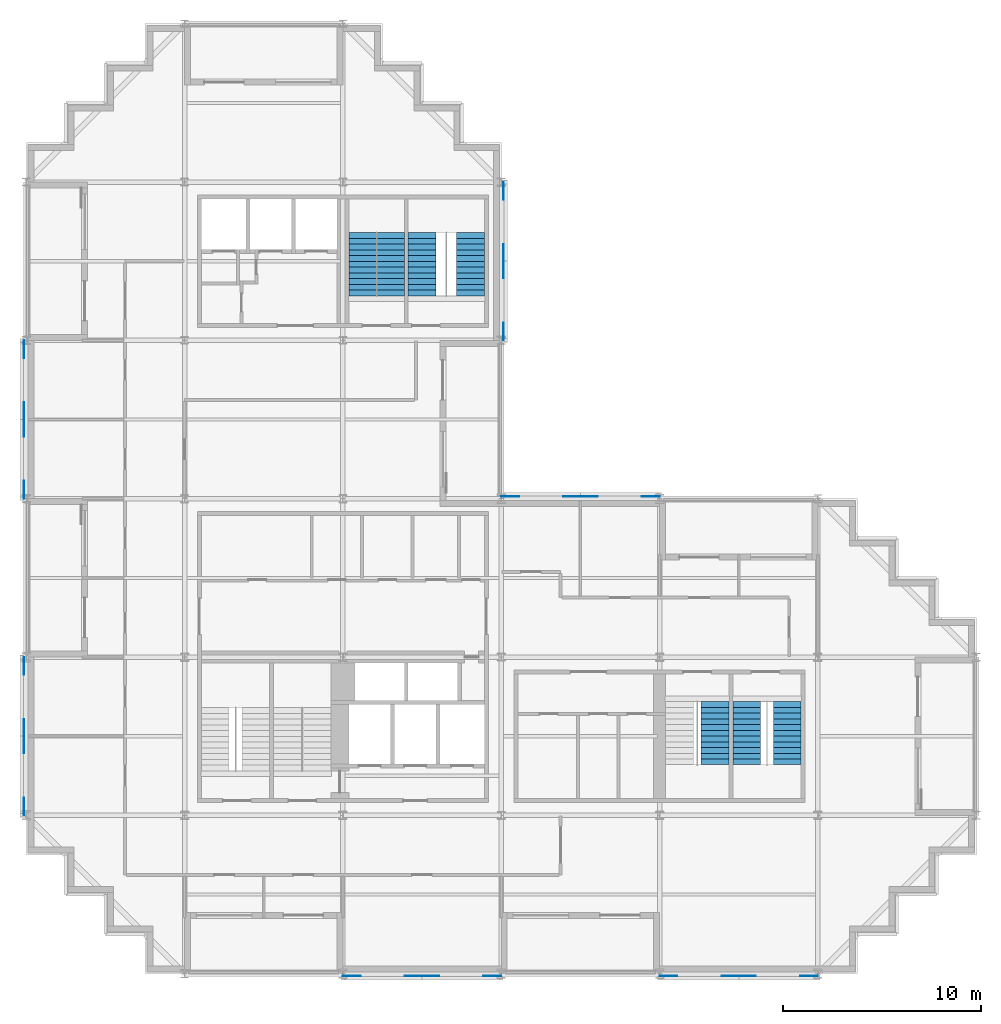
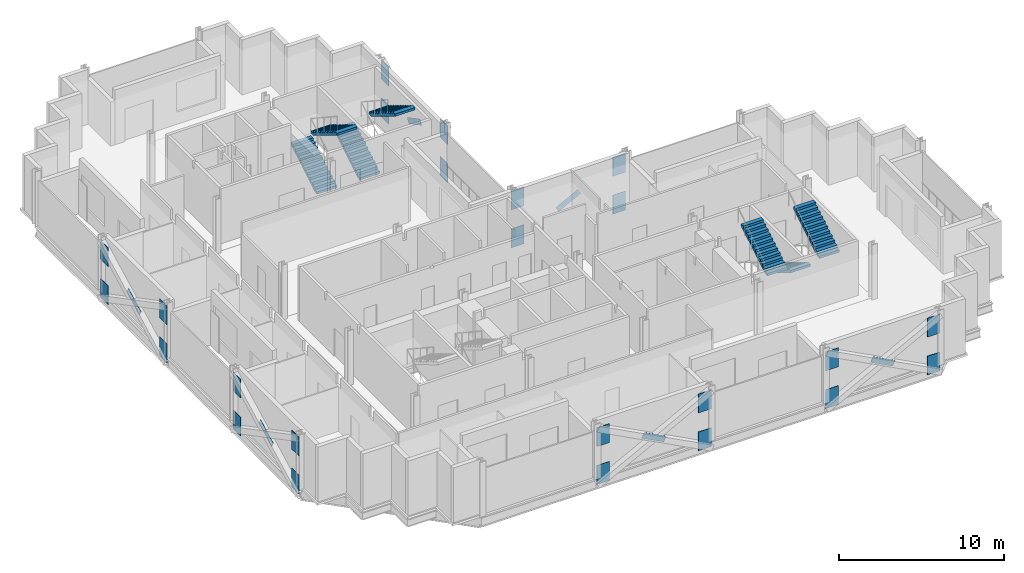
# One storey, part 9 of 11: 30 discrete accessories, 7 stair flights, 4 elements without a shape of their own.
"""IFC4 building model written with IfcOpenShell, lengths in metres."""

from ifc_helpers import new_model, si_unit, direction, frame, origin, origin_2d, place, context, subcontext, project, spatial, polyline, rectangle, outline, extrude, material, material_profile, profile_set, type_object, element, aggregate, save


model = new_model("IFC4")

# Units and contexts
model_context = context("Model", 3, precision=1e-05, world=origin(), true_north=direction((0.0, 1.0)))
body_context = subcontext(model_context, "Body", "Model", "MODEL_VIEW")
ifc_project = project(units=[si_unit("LENGTHUNIT", "METRE"), si_unit("AREAUNIT", "SQUARE_METRE"), si_unit("VOLUMEUNIT", "CUBIC_METRE"), si_unit("PLANEANGLEUNIT", "RADIAN"), si_unit("MASSUNIT", "GRAM", prefix="KILO")], contexts=[model_context])

# Site, building, storey
site_placement = place(None, origin())
site = spatial("IfcSite", under=ifc_project, at=site_placement, CompositionType="ELEMENT")
building_placement = place(site_placement, origin())
building = spatial("IfcBuilding", under=site, at=building_placement, Name="Immortelle Media Tower", CompositionType="ELEMENT")
storey_placement = place(building_placement, frame((0.0, 0.0, 141.0)))
storey = spatial("IfcBuildingStorey", under=building, at=storey_placement, Name="L28", CompositionType="ELEMENT", Elevation=141.0)

# Stair, stair flight
ifc_material_1 = material(Name="Steel ASTM A992 Gr 50", Category="steel")
stair_type = type_object("IfcStairType", Name="Stair with flights", PredefinedType="DOUBLE_RETURN_STAIR", material=ifc_material_1)
stair_1_placement = place(storey_placement, origin())
stair_1 = element("IfcStair", 1, at=stair_1_placement, inside=storey, type_object=stair_type, Name="Exit stair SE1", PredefinedType="DOUBLE_RETURN_STAIR")
stair_flight_type = type_object("IfcStairFlightType", Name="Stair flight 1400", PredefinedType="STRAIGHT", material=ifc_material_1)
stair_flight_1_placement = place(storey_placement, frame((34.800048828125, 10.56005859375, 2.10009765625), z_axis=(0.0, 0.0, 1.0), x_axis=(0.0, 1.0, 0.0)))
stair_flight_1 = element("IfcStairFlight", 2, at=stair_flight_1_placement, type_object=stair_flight_type, Name="ST SE1 flight 2", NumberOfRisers=12, NumberOfTreads=11, PredefinedType="STRAIGHT", RiserHeight=0.175, TreadLength=0.29, context=body_context, shape_type="SweptSolid", body=[
    extrude(outline(polyline([(0.0, 0.0), (0.0, 0.175048828125), (0.2900390625, 0.175048828125), (0.2900390625, 0.35009765625), (0.580078125, 0.35009765625), (0.580078125, 0.52490234375), (0.8701171875, 0.52490234375), (0.8701171875, 0.699951171875), (1.159912109375, 0.699951171875), (1.159912109375, 0.875), (1.449951171875, 0.875), (1.449951171875, 1.050048828125), (1.739990234375, 1.050048828125), (1.739990234375, 1.22509765625), (2.030029296875, 1.22509765625), (2.030029296875, 1.39990234375), (2.320068359375, 1.39990234375), (2.320068359375, 1.574951171875), (2.610107421875, 1.574951171875), (2.610107421875, 1.75), (2.89990234375, 1.75), (2.89990234375, 1.925048828125), (3.18994140625, 1.925048828125), (3.18994140625, 2.10009765625), (3.18994140625, 1.75), (0.2900390625, 0.0), (0.0, 0.0)])), frame((0.0, 0.699951171875, 0.0), z_axis=(0.0, -1.0, 0.0), x_axis=(1.0, 0.0, 0.0)), (0.0, 0.0, 1.0), 1.39990234375),
])
aggregate(stair_1, [stair_flight_1])

# Stair, stair flights
stair_2_placement = place(storey_placement, origin())
stair_2 = element("IfcStair", 3, at=stair_2_placement, inside=storey, type_object=stair_type, Name="Exit stair SE2", PredefinedType="DOUBLE_RETURN_STAIR")
stair_flight_2_placement = place(storey_placement, frame((36.39990234375, 13.75, 0.0), z_axis=(0.0, 0.0, 1.0), x_axis=(0.0, -1.0, 0.0)))
stair_flight_2 = element("IfcStairFlight", 4, at=stair_flight_2_placement, type_object=stair_flight_type, Name="ST SE2 flight 1", NumberOfRisers=12, NumberOfTreads=11, PredefinedType="STRAIGHT", RiserHeight=0.175, TreadLength=0.29, context=body_context, shape_type="SweptSolid", body=[
    extrude(outline(polyline([(0.0, 0.0), (0.0, 0.175048828125), (0.2900390625, 0.175048828125), (0.2900390625, 0.35009765625), (0.580078125, 0.35009765625), (0.580078125, 0.52490234375), (0.8701171875, 0.52490234375), (0.8701171875, 0.699951171875), (1.159912109375, 0.699951171875), (1.159912109375, 0.875), (1.449951171875, 0.875), (1.449951171875, 1.050048828125), (1.739990234375, 1.050048828125), (1.739990234375, 1.22509765625), (2.030029296875, 1.22509765625), (2.030029296875, 1.39990234375), (2.320068359375, 1.39990234375), (2.320068359375, 1.574951171875), (2.610107421875, 1.574951171875), (2.610107421875, 1.75), (2.89990234375, 1.75), (2.89990234375, 1.925048828125), (3.18994140625, 1.925048828125), (3.18994140625, 2.10009765625), (3.18994140625, 1.75), (0.2900390625, 0.0), (0.0, 0.0)])), frame((0.0, 0.699951171875, 0.0), z_axis=(0.0, -1.0, 0.0), x_axis=(1.0, 0.0, 0.0)), (0.0, 0.0, 1.0), 1.39990234375),
])
stair_flight_3_placement = place(storey_placement, frame((38.449951171875, 10.56005859375, 2.10009765625), z_axis=(0.0, 0.0, 1.0), x_axis=(0.0, 1.0, 0.0)))
stair_flight_3 = element("IfcStairFlight", 5, at=stair_flight_3_placement, type_object=stair_flight_type, Name="ST SE2 flight 2", NumberOfRisers=12, NumberOfTreads=11, PredefinedType="STRAIGHT", RiserHeight=0.175, TreadLength=0.29, context=body_context, shape_type="SweptSolid", body=[
    extrude(outline(polyline([(0.0, 0.0), (0.0, 0.175048828125), (0.2900390625, 0.175048828125), (0.2900390625, 0.35009765625), (0.580078125, 0.35009765625), (0.580078125, 0.52490234375), (0.8701171875, 0.52490234375), (0.8701171875, 0.699951171875), (1.159912109375, 0.699951171875), (1.159912109375, 0.875), (1.449951171875, 0.875), (1.449951171875, 1.050048828125), (1.739990234375, 1.050048828125), (1.739990234375, 1.22509765625), (2.030029296875, 1.22509765625), (2.030029296875, 1.39990234375), (2.320068359375, 1.39990234375), (2.320068359375, 1.574951171875), (2.610107421875, 1.574951171875), (2.610107421875, 1.75), (2.89990234375, 1.75), (2.89990234375, 1.925048828125), (3.18994140625, 1.925048828125), (3.18994140625, 2.10009765625), (3.18994140625, 1.75), (0.2900390625, 0.0), (0.0, 0.0)])), frame((0.0, 0.699951171875, 0.0), z_axis=(0.0, -1.0, 0.0), x_axis=(1.0, 0.0, 0.0)), (0.0, 0.0, 1.0), 1.39990234375),
])
aggregate(stair_2, [stair_flight_2, stair_flight_3])

stair_3_placement = place(storey_placement, origin())
stair_3 = element("IfcStair", 6, at=stair_3_placement, inside=storey, type_object=stair_type, Name="Exit stair NW1", PredefinedType="DOUBLE_RETURN_STAIR")
stair_flight_4_placement = place(storey_placement, frame((17.0, 34.25, 0.0), z_axis=(0.0, 0.0, 1.0), x_axis=(0.0, 1.0, 0.0)))
stair_flight_4 = element("IfcStairFlight", 7, at=stair_flight_4_placement, type_object=stair_flight_type, Name="ST NW1 flight 1", NumberOfRisers=12, NumberOfTreads=11, PredefinedType="STRAIGHT", RiserHeight=0.175, TreadLength=0.29, context=body_context, shape_type="SweptSolid", body=[
    extrude(outline(polyline([(0.0, 0.0), (0.0, 0.175048828125), (0.2900390625, 0.175048828125), (0.2900390625, 0.35009765625), (0.580078125, 0.35009765625), (0.580078125, 0.52490234375), (0.8701171875, 0.52490234375), (0.8701171875, 0.699951171875), (1.159912109375, 0.699951171875), (1.159912109375, 0.875), (1.449951171875, 0.875), (1.449951171875, 1.050048828125), (1.739990234375, 1.050048828125), (1.739990234375, 1.22509765625), (2.030029296875, 1.22509765625), (2.030029296875, 1.39990234375), (2.320068359375, 1.39990234375), (2.320068359375, 1.574951171875), (2.610107421875, 1.574951171875), (2.610107421875, 1.75), (2.89990234375, 1.75), (2.89990234375, 1.925048828125), (3.18994140625, 1.925048828125), (3.18994140625, 2.10009765625), (3.18994140625, 1.75), (0.2900390625, 0.0), (0.0, 0.0)])), frame((0.0, 0.699951171875, 0.0), z_axis=(0.0, -1.0, 0.0), x_axis=(1.0, 0.0, 0.0)), (0.0, 0.0, 1.0), 1.39990234375),
])
stair_flight_5_placement = place(storey_placement, frame((18.39990234375, 37.43994140625, 2.10009765625), z_axis=(0.0, 0.0, 1.0), x_axis=(0.0, -1.0, 0.0)))
stair_flight_5 = element("IfcStairFlight", 8, at=stair_flight_5_placement, type_object=stair_flight_type, Name="ST NW1 flight 2", NumberOfRisers=12, NumberOfTreads=11, PredefinedType="STRAIGHT", RiserHeight=0.175, TreadLength=0.29, context=body_context, shape_type="SweptSolid", body=[
    extrude(outline(polyline([(0.0, 0.0), (0.0, 0.175048828125), (0.2900390625, 0.175048828125), (0.2900390625, 0.35009765625), (0.580078125, 0.35009765625), (0.580078125, 0.52490234375), (0.8701171875, 0.52490234375), (0.8701171875, 0.699951171875), (1.159912109375, 0.699951171875), (1.159912109375, 0.875), (1.449951171875, 0.875), (1.449951171875, 1.050048828125), (1.739990234375, 1.050048828125), (1.739990234375, 1.22509765625), (2.030029296875, 1.22509765625), (2.030029296875, 1.39990234375), (2.320068359375, 1.39990234375), (2.320068359375, 1.574951171875), (2.610107421875, 1.574951171875), (2.610107421875, 1.75), (2.89990234375, 1.75), (2.89990234375, 1.925048828125), (3.18994140625, 1.925048828125), (3.18994140625, 2.10009765625), (3.18994140625, 1.75), (0.2900390625, 0.0), (0.0, 0.0)])), frame((0.0, 0.699951171875, 0.0), z_axis=(0.0, -1.0, 0.0), x_axis=(1.0, 0.0, 0.0)), (0.0, 0.0, 1.0), 1.39990234375),
])
aggregate(stair_3, [stair_flight_4, stair_flight_5])

stair_4_placement = place(storey_placement, origin())
stair_4 = element("IfcStair", 9, at=stair_4_placement, inside=storey, type_object=stair_type, Name="Exit stair NW2", PredefinedType="DOUBLE_RETURN_STAIR")
stair_flight_6_placement = place(storey_placement, frame((20.0, 34.25, 0.0), z_axis=(0.0, 0.0, 1.0), x_axis=(0.0, 1.0, 0.0)))
stair_flight_6 = element("IfcStairFlight", 10, at=stair_flight_6_placement, type_object=stair_flight_type, Name="ST NW2 flight 1", NumberOfRisers=12, NumberOfTreads=11, PredefinedType="STRAIGHT", RiserHeight=0.175, TreadLength=0.29, context=body_context, shape_type="SweptSolid", body=[
    extrude(outline(polyline([(0.0, 0.0), (0.0, 0.175048828125), (0.2900390625, 0.175048828125), (0.2900390625, 0.35009765625), (0.580078125, 0.35009765625), (0.580078125, 0.52490234375), (0.8701171875, 0.52490234375), (0.8701171875, 0.699951171875), (1.159912109375, 0.699951171875), (1.159912109375, 0.875), (1.449951171875, 0.875), (1.449951171875, 1.050048828125), (1.739990234375, 1.050048828125), (1.739990234375, 1.22509765625), (2.030029296875, 1.22509765625), (2.030029296875, 1.39990234375), (2.320068359375, 1.39990234375), (2.320068359375, 1.574951171875), (2.610107421875, 1.574951171875), (2.610107421875, 1.75), (2.89990234375, 1.75), (2.89990234375, 1.925048828125), (3.18994140625, 1.925048828125), (3.18994140625, 2.10009765625), (3.18994140625, 1.75), (0.2900390625, 0.0), (0.0, 0.0)])), frame((0.0, 0.699951171875, 0.0), z_axis=(0.0, -1.0, 0.0), x_axis=(1.0, 0.0, 0.0)), (0.0, 0.0, 1.0), 1.39990234375),
])
stair_flight_7_placement = place(storey_placement, frame((22.449951171875, 37.43994140625, 2.10009765625), z_axis=(0.0, 0.0, 1.0), x_axis=(0.0, -1.0, 0.0)))
stair_flight_7 = element("IfcStairFlight", 11, at=stair_flight_7_placement, type_object=stair_flight_type, Name="ST NW2 flight 2", NumberOfRisers=12, NumberOfTreads=11, PredefinedType="STRAIGHT", RiserHeight=0.175, TreadLength=0.29, context=body_context, shape_type="SweptSolid", body=[
    extrude(outline(polyline([(0.0, 0.0), (0.0, 0.175048828125), (0.2900390625, 0.175048828125), (0.2900390625, 0.35009765625), (0.580078125, 0.35009765625), (0.580078125, 0.52490234375), (0.8701171875, 0.52490234375), (0.8701171875, 0.699951171875), (1.159912109375, 0.699951171875), (1.159912109375, 0.875), (1.449951171875, 0.875), (1.449951171875, 1.050048828125), (1.739990234375, 1.050048828125), (1.739990234375, 1.22509765625), (2.030029296875, 1.22509765625), (2.030029296875, 1.39990234375), (2.320068359375, 1.39990234375), (2.320068359375, 1.574951171875), (2.610107421875, 1.574951171875), (2.610107421875, 1.75), (2.89990234375, 1.75), (2.89990234375, 1.925048828125), (3.18994140625, 1.925048828125), (3.18994140625, 2.10009765625), (3.18994140625, 1.75), (0.2900390625, 0.0), (0.0, 0.0)])), frame((0.0, 0.699951171875, 0.0), z_axis=(0.0, -1.0, 0.0), x_axis=(1.0, 0.0, 0.0)), (0.0, 0.0, 1.0), 1.39990234375),
])
aggregate(stair_4, [stair_flight_6, stair_flight_7])

# Discrete accessories
ifc_material_2 = material(Name="Steel ASTM A572 Gr 50", Category="steel")
ifc_material_profile_1 = material_profile(ifc_material_2, rectangle(XDim=0.02392578125, YDim=0.406005859375, at=origin_2d()), Name="PL 24 x 406")
ifc_profile_set_1 = profile_set([ifc_material_profile_1], Name="Steel ASTM A572 Gr 50")
discrete_accessory_type_1 = type_object("IfcDiscreteAccessoryType", Name="Crossing plate XP-BR4 1750 x 406 x 24", PredefinedType="USERDEFINED", material=ifc_profile_set_1)
for number, where, z_axis, x_axis, name in (
    (12, (28.774658203125, 24.113037109375, 2.01025390625), (-0.885377804934, 0.0, -0.464872178701), (0.0, -1.0, 0.0), "Crossing plate XP-BR4 of Brace D/4-5 A and Brace D/4-5 B"),
    (13, (24.113037109375, 35.225341796875, 2.01025390625), (0.0, 0.885377804934, -0.464872178701), (-1.0, 0.0, 0.0), "Crossing plate XP-BR4 of Brace 4/E-F A and Brace 4/E-F B"),
    (14, (-0.113037109375, 28.774658203125, 2.01025390625), (0.0, -0.885377804934, -0.464872178701), (1.0, 0.0, 0.0), "Crossing plate XP-BR4 of Brace 1/D-E A and Brace 1/D-E B"),
    (15, (-0.113037109375, 12.774658203125, 2.01025390625), (0.0, -0.885377804934, -0.464872178701), (1.0, 0.0, 0.0), "Crossing plate XP-BR4 of Brace 1/B-C A and Brace 1/B-C B"),
    (16, (19.225341796875, -0.113037109375, 2.01025390625), (0.885377804934, 0.0, -0.464872178701), (0.0, 1.0, 0.0), "Crossing plate XP-BR4 of Brace A/3-4 A and Brace A/3-4 B"),
    (17, (35.225341796875, -0.113037109375, 2.01025390625), (0.885377804934, 0.0, -0.464872178701), (0.0, 1.0, 0.0), "Crossing plate XP-BR4 of Brace A/5-6 A and Brace A/5-6 B"),
):
    element("IfcDiscreteAccessory", number, at=place(storey_placement, frame(where, z_axis=z_axis, x_axis=x_axis)), inside=storey, type_object=discrete_accessory_type_1, Name=name, ObjectType="CROSSING PLATE", PredefinedType="USERDEFINED", context=body_context, shape_type="SweptSolid", body=[
        extrude(rectangle(XDim=0.02392578125, YDim=0.406005859375, at=origin_2d()), origin(), (0.0, 0.0, 1.0), 1.75),
    ])
ifc_material_profile_2 = material_profile(ifc_material_2, rectangle(XDim=0.031982421875, YDim=1.39990234375, at=origin_2d()), Name="PL 32 x 1400")
ifc_profile_set_2 = profile_set([ifc_material_profile_2], Name="Steel ASTM A572 Gr 50")
discrete_accessory_type_2 = type_object("IfcDiscreteAccessoryType", Name="Gusset plate GP1 900 x 1400 x 32", PredefinedType="USERDEFINED", material=ifc_profile_set_2)
for number, where, z_axis, x_axis, name in (
    (18, (16.0, -0.113037109375, 0.20361328125), (1.0, 0.0, 0.0), (0.0, 1.0, 0.0), "Gusset plate GP1, lower end of Brace A/3-4 A"),
    (19, (24.0, -0.113037109375, 3.00341796875), (-1.0, 0.0, 0.0), (0.0, -1.0, 0.0), "Gusset plate GP1, upper end of Brace A/3-4 A"),
    (20, (24.0, -0.113037109375, 0.20361328125), (-1.0, 0.0, 0.0), (0.0, -1.0, 0.0), "Gusset plate GP1, lower end of Brace A/3-4 B"),
    (21, (16.0, -0.113037109375, 3.00341796875), (1.0, 0.0, 0.0), (0.0, 1.0, 0.0), "Gusset plate GP1, upper end of Brace A/3-4 B"),
    (22, (32.0, -0.113037109375, 0.20361328125), (1.0, 0.0, 0.0), (0.0, 1.0, 0.0), "Gusset plate GP1, lower end of Brace A/5-6 A"),
    (23, (40.0, -0.113037109375, 3.00341796875), (-1.0, 0.0, 0.0), (0.0, -1.0, 0.0), "Gusset plate GP1, upper end of Brace A/5-6 A"),
    (24, (40.0, -0.113037109375, 0.20361328125), (-1.0, 0.0, 0.0), (0.0, -1.0, 0.0), "Gusset plate GP1, lower end of Brace A/5-6 B"),
    (25, (32.0, -0.113037109375, 3.00341796875), (1.0, 0.0, 0.0), (0.0, 1.0, 0.0), "Gusset plate GP1, upper end of Brace A/5-6 B"),
    (26, (32.0, 24.113037109375, 0.20361328125), (-1.0, 0.0, 0.0), (0.0, -1.0, 0.0), "Gusset plate GP1, lower end of Brace D/4-5 A"),
    (27, (24.0, 24.113037109375, 3.00341796875), (1.0, 0.0, 0.0), (0.0, 1.0, 0.0), "Gusset plate GP1, upper end of Brace D/4-5 A"),
    (28, (24.0, 24.113037109375, 0.20361328125), (1.0, 0.0, 0.0), (0.0, 1.0, 0.0), "Gusset plate GP1, lower end of Brace D/4-5 B"),
    (29, (32.0, 24.113037109375, 3.00341796875), (-1.0, 0.0, 0.0), (0.0, -1.0, 0.0), "Gusset plate GP1, upper end of Brace D/4-5 B"),
    (30, (24.113037109375, 32.0, 0.20361328125), (0.0, 1.0, 0.0), (-1.0, 0.0, 0.0), "Gusset plate GP1, lower end of Brace 4/E-F A"),
    (31, (24.113037109375, 40.0, 3.00341796875), (0.0, -1.0, 0.0), (1.0, 0.0, 0.0), "Gusset plate GP1, upper end of Brace 4/E-F A"),
    (32, (24.113037109375, 40.0, 0.20361328125), (0.0, -1.0, 0.0), (1.0, 0.0, 0.0), "Gusset plate GP1, lower end of Brace 4/E-F B"),
    (33, (24.113037109375, 32.0, 3.00341796875), (0.0, 1.0, 0.0), (-1.0, 0.0, 0.0), "Gusset plate GP1, upper end of Brace 4/E-F B"),
    (34, (-0.113037109375, 32.0, 0.20361328125), (0.0, -1.0, 0.0), (1.0, 0.0, 0.0), "Gusset plate GP1, lower end of Brace 1/D-E A"),
    (35, (-0.113037109375, 24.0, 3.00341796875), (0.0, 1.0, 0.0), (-1.0, 0.0, 0.0), "Gusset plate GP1, upper end of Brace 1/D-E A"),
    (36, (-0.113037109375, 24.0, 0.20361328125), (0.0, 1.0, 0.0), (-1.0, 0.0, 0.0), "Gusset plate GP1, lower end of Brace 1/D-E B"),
    (37, (-0.113037109375, 32.0, 3.00341796875), (0.0, -1.0, 0.0), (1.0, 0.0, 0.0), "Gusset plate GP1, upper end of Brace 1/D-E B"),
    (38, (-0.113037109375, 16.0, 0.20361328125), (0.0, -1.0, 0.0), (1.0, 0.0, 0.0), "Gusset plate GP1, lower end of Brace 1/B-C A"),
    (39, (-0.113037109375, 8.0, 3.00341796875), (0.0, 1.0, 0.0), (-1.0, 0.0, 0.0), "Gusset plate GP1, upper end of Brace 1/B-C A"),
    (40, (-0.113037109375, 8.0, 0.20361328125), (0.0, 1.0, 0.0), (-1.0, 0.0, 0.0), "Gusset plate GP1, lower end of Brace 1/B-C B"),
    (41, (-0.113037109375, 16.0, 3.00341796875), (0.0, -1.0, 0.0), (1.0, 0.0, 0.0), "Gusset plate GP1, upper end of Brace 1/B-C B"),
):
    element("IfcDiscreteAccessory", number, at=place(storey_placement, frame(where, z_axis=z_axis, x_axis=x_axis)), inside=storey, type_object=discrete_accessory_type_2, Name=name, ObjectType="GUSSET PLATE", PredefinedType="USERDEFINED", context=body_context, shape_type="SweptSolid", body=[
        extrude(rectangle(XDim=0.031982421875, YDim=1.39990234375, at=origin_2d()), origin(), (0.0, 0.0, 1.0), 0.89990234375),
    ])

save(model, "model.ifc")
